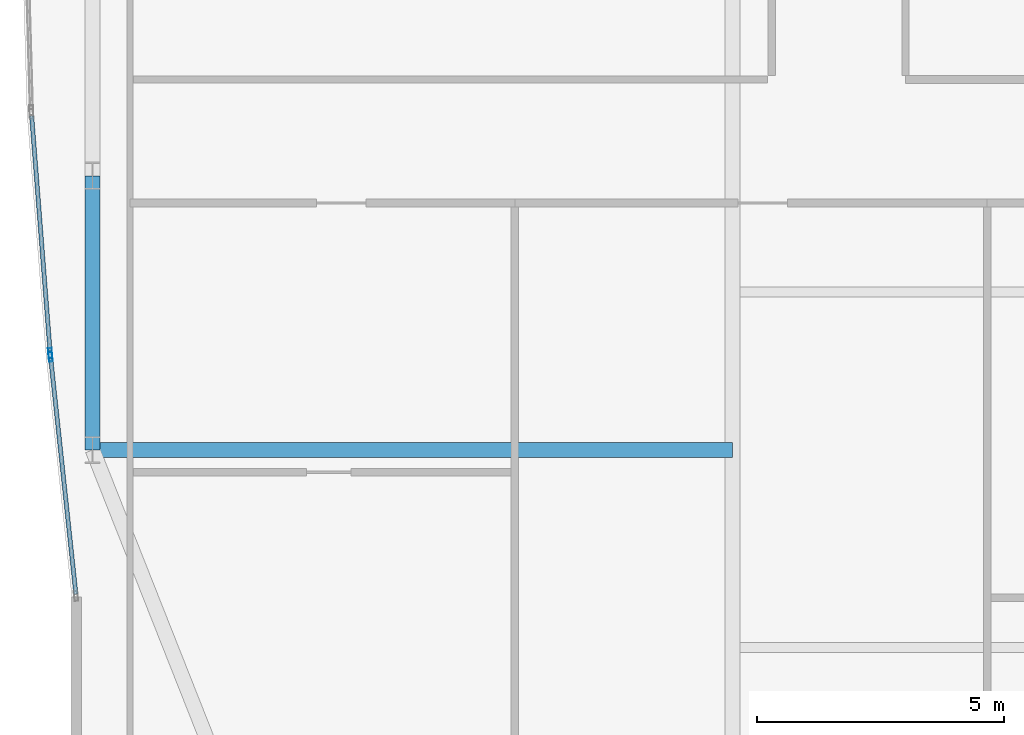
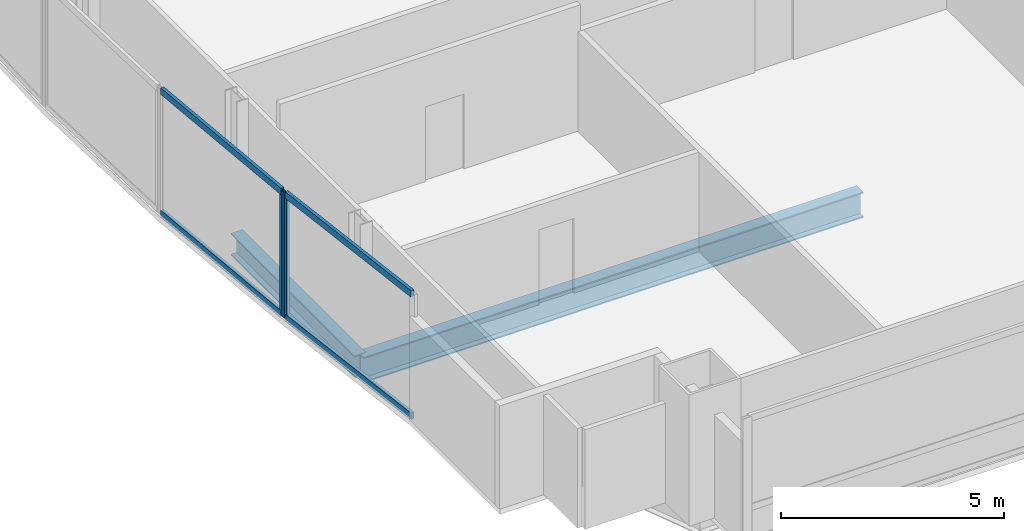
# One storey, part 6 of 29: 6 members, 2 beams, 2 elements without a shape of their own.
"""IFC4 building model written with IfcOpenShell, lengths in metres."""

from ifc_helpers import new_model, si_unit, direction, frame, origin, origin_2d, place, context, subcontext, project, spatial, hollow_rectangle, i_section, extrude, material, material_profile, profile_set, type_object, element, aggregate, save


model = new_model("IFC4")

# Units and contexts
model_context = context("Model", 3, precision=1e-05, world=origin(), true_north=direction((0.0, 1.0)))
body_context = subcontext(model_context, "Body", "Model", "MODEL_VIEW")
ifc_project = project(units=[si_unit("LENGTHUNIT", "METRE"), si_unit("AREAUNIT", "SQUARE_METRE"), si_unit("VOLUMEUNIT", "CUBIC_METRE"), si_unit("PLANEANGLEUNIT", "RADIAN"), si_unit("MASSUNIT", "GRAM", prefix="KILO")], contexts=[model_context])

# Site, building, storey
site_placement = place(None, origin())
site = spatial("IfcSite", under=ifc_project, at=site_placement, CompositionType="ELEMENT")
building_placement = place(site_placement, origin())
building = spatial("IfcBuilding", under=site, at=building_placement, Name="Khoronbel Lancet Exchange", CompositionType="ELEMENT")
storey_placement = place(building_placement, frame((0.0, 0.0, 139.800048828125)))
storey = spatial("IfcBuildingStorey", under=building, at=storey_placement, Name="L34", CompositionType="ELEMENT", Elevation=139.800048828125)

# Beams
ifc_material_1 = material(Name="Steel S355", Category="steel")
ifc_material_profile_1 = material_profile(ifc_material_1, i_section(OverallWidth=0.300048828125, OverallDepth=0.699951171875, WebThickness=0.01708984375, FlangeThickness=0.031982421875, at=origin_2d()), Name="HEB 700")
ifc_profile_set_1 = profile_set([ifc_material_profile_1], Name="Steel S355")
beam_type_1 = type_object("IfcBeamType", Name="BM-BG3", PredefinedType="BEAM", material=ifc_profile_set_1)
beam_1_placement = place(storey_placement, frame((5.27001953125, 19.199951171875, -0.510009765625), z_axis=(1.0, 0.0, 0.0), x_axis=(0.0, 1.0, 0.0)))
element("IfcBeam", 1, at=beam_1_placement, inside=storey, type_object=beam_type_1, Name="Level L34 west lens tie girder LG1W", PredefinedType="BEAM", context=body_context, shape_type="SweptSolid", body=[
    extrude(i_section(OverallWidth=0.300048828125, OverallDepth=0.699951171875, WebThickness=0.01708984375, FlangeThickness=0.031982421875, at=origin_2d()), origin(), (0.0, 0.0, 1.0), 12.955078125),
])
ifc_material_profile_2 = material_profile(ifc_material_1, i_section(OverallWidth=0.300048828125, OverallDepth=0.60009765625, WebThickness=0.015380859375, FlangeThickness=0.030029296875, at=origin_2d()), Name="HEB 600")
ifc_profile_set_2 = profile_set([ifc_material_profile_2], Name="Steel S355")
beam_type_2 = type_object("IfcBeamType", Name="BM-BSP2", PredefinedType="SPANDREL", material=ifc_profile_set_2)
beam_2_placement = place(storey_placement, frame((5.27001953125, 24.75, -0.4599609375), z_axis=(0.0, -1.0, 0.0), x_axis=(1.0, 0.0, 0.0)))
element("IfcBeam", 2, at=beam_2_placement, inside=storey, type_object=beam_type_2, Name="Level L34 perimeter spandrel beam SP20", PredefinedType="SPANDREL", context=body_context, shape_type="SweptSolid", body=[
    extrude(i_section(OverallWidth=0.300048828125, OverallDepth=0.60009765625, WebThickness=0.015380859375, FlangeThickness=0.030029296875, at=origin_2d()), origin(), (0.0, 0.0, 1.0), 5.550048828125),
])

# Curtain wall, member
ifc_material_2 = material(Name="Low-E Solar Control Insulating Glass", Category="glass")
curtain_wall_type = type_object("IfcCurtainWallType", Name="CW-4", PredefinedType="NOTDEFINED", material=ifc_material_2)
curtain_wall_1_placement = place(storey_placement, origin())
curtain_wall_1 = element("IfcCurtainWall", 3, at=curtain_wall_1_placement, inside=storey, type_object=curtain_wall_type, Name="Unitised curtain wall CW-L34-E04", PredefinedType="NOTDEFINED")
ifc_material_3 = material(Name="Bronze-Anodised Aluminium 6063-T6", Category="aluminium")
ifc_material_profile_3 = material_profile(ifc_material_3, hollow_rectangle(XDim=0.074951171875, YDim=0.199951171875, WallThickness=0.0048828125, at=origin_2d()), Name="ALU MULLION 75x200")
ifc_profile_set_3 = profile_set([ifc_material_profile_3], Name="Bronze-Anodised Aluminium 6063-T6")
member_type_1 = type_object("IfcMemberType", Name="MEM-CWM2", PredefinedType="MULLION", material=ifc_profile_set_3)
member_1_placement = place(storey_placement, frame((4.418701171875, 21.087646484375, 0.0), z_axis=(0.0, 0.0, 1.0), x_axis=(-0.994346859972, -0.106180610586, 0.0)))
member_1 = element("IfcMember", 4, at=member_1_placement, type_object=member_type_1, Name="CW4 mullion 2", PredefinedType="MULLION", context=body_context, shape_type="SweptSolid", body=[
    extrude(hollow_rectangle(XDim=0.074951171875, YDim=0.199951171875, WallThickness=0.0048828125, at=origin_2d()), origin(), (0.0, 0.0, 1.0), 3.43994140625),
])

curtain_wall_2_placement = place(storey_placement, origin())
curtain_wall_2 = element("IfcCurtainWall", 5, at=curtain_wall_2_placement, inside=storey, type_object=curtain_wall_type, Name="Unitised curtain wall CW-L34-E05", PredefinedType="NOTDEFINED")
member_2_placement = place(storey_placement, frame((4.41162109375, 21.162353515625, 0.0), z_axis=(0.0, 0.0, 1.0), x_axis=(-0.996959555693, -0.077920756627, 0.0)))
member_2 = element("IfcMember", 6, at=member_2_placement, type_object=member_type_1, Name="CW4 mullion 1", PredefinedType="MULLION", context=body_context, shape_type="SweptSolid", body=[
    extrude(hollow_rectangle(XDim=0.074951171875, YDim=0.199951171875, WallThickness=0.0048828125, at=origin_2d()), origin(), (0.0, 0.0, 1.0), 3.43994140625),
])

# Member
ifc_material_profile_4 = material_profile(ifc_material_3, hollow_rectangle(XDim=0.0849609375, YDim=0.179931640625, WallThickness=0.0048828125, at=origin_2d()), Name="ALU TRANSOM 85x180")
ifc_profile_set_4 = profile_set([ifc_material_profile_4], Name="Bronze-Anodised Aluminium 6063-T6")
member_type_2 = type_object("IfcMemberType", Name="MEM-CWT1", PredefinedType="USERDEFINED", material=ifc_profile_set_4)
member_3_placement = place(storey_placement, frame((4.93212890625, 16.279296875, 0.04248046875), z_axis=(-0.106186389442, 0.994346242864, 0.0), x_axis=(-0.994346242864, -0.106186389442, 0.0)))
member_3 = element("IfcMember", 7, at=member_3_placement, type_object=member_type_2, Name="CW4 transom 1.1", ObjectType="TRANSOM", PredefinedType="USERDEFINED", context=body_context, shape_type="SweptSolid", body=[
    extrude(hollow_rectangle(XDim=0.0849609375, YDim=0.179931640625, WallThickness=0.0048828125, at=origin_2d()), origin(), (0.0, 0.0, 1.0), 4.79833984375),
])

member_4_placement = place(storey_placement, frame((4.93212890625, 16.279296875, 3.3974609375), z_axis=(-0.106186389442, 0.994346242864, 0.0), x_axis=(-0.994346242864, -0.106186389442, 0.0)))
member_4 = element("IfcMember", 8, at=member_4_placement, type_object=member_type_2, Name="CW4 transom 1.2", ObjectType="TRANSOM", PredefinedType="USERDEFINED", context=body_context, shape_type="SweptSolid", body=[
    extrude(hollow_rectangle(XDim=0.0849609375, YDim=0.179931640625, WallThickness=0.0048828125, at=origin_2d()), origin(), (0.0, 0.0, 1.0), 4.79833984375),
])

aggregate(curtain_wall_1, [member_1, member_3, member_4])

member_5_placement = place(storey_placement, frame((4.40869140625, 21.19970703125, 0.04248046875), z_axis=(-0.077919407709, 0.996959661121, 0.0), x_axis=(-0.996959661121, -0.077919407709, 0.0)))
member_5 = element("IfcMember", 9, at=member_5_placement, type_object=member_type_2, Name="CW4 transom 1.1", ObjectType="TRANSOM", PredefinedType="USERDEFINED", context=body_context, shape_type="SweptSolid", body=[
    extrude(hollow_rectangle(XDim=0.0849609375, YDim=0.179931640625, WallThickness=0.0048828125, at=origin_2d()), origin(), (0.0, 0.0, 1.0), 4.7783203125),
])

member_6_placement = place(storey_placement, frame((4.40869140625, 21.19970703125, 3.3974609375), z_axis=(-0.077919407709, 0.996959661121, 0.0), x_axis=(-0.996959661121, -0.077919407709, 0.0)))
member_6 = element("IfcMember", 10, at=member_6_placement, type_object=member_type_2, Name="CW4 transom 1.2", ObjectType="TRANSOM", PredefinedType="USERDEFINED", context=body_context, shape_type="SweptSolid", body=[
    extrude(hollow_rectangle(XDim=0.0849609375, YDim=0.179931640625, WallThickness=0.0048828125, at=origin_2d()), origin(), (0.0, 0.0, 1.0), 4.7783203125),
])

aggregate(curtain_wall_2, [member_2, member_5, member_6])

save(model, "model.ifc")
